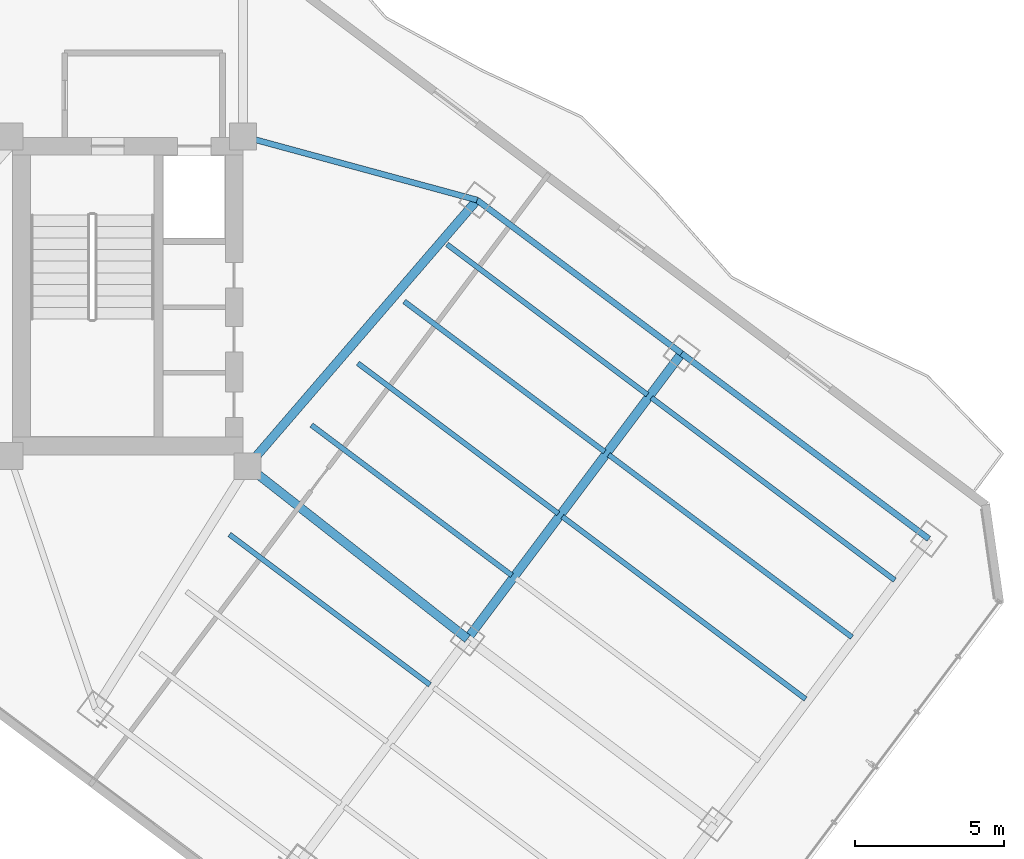
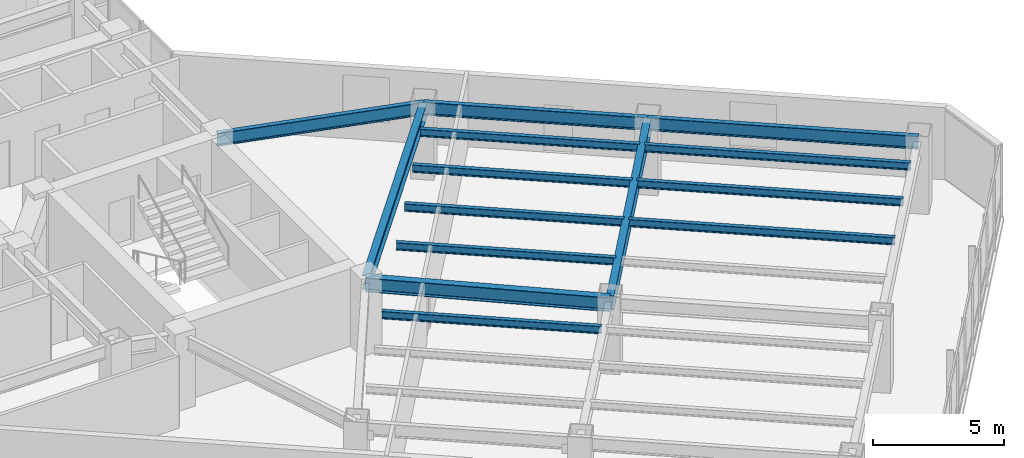
# One storey, part 11 of 29: 14 beams.
"""IFC4 building model written with IfcOpenShell, lengths in metres."""

from ifc_helpers import new_model, si_unit, direction, frame, origin, origin_2d, place, context, subcontext, project, spatial, i_section, extrude, material, material_profile, profile_set, type_object, element, save


model = new_model("IFC4")

# Units and contexts
model_context = context("Model", 3, precision=1e-05, world=origin(), true_north=direction((0.0, 1.0)))
body_context = subcontext(model_context, "Body", "Model", "MODEL_VIEW")
ifc_project = project(units=[si_unit("LENGTHUNIT", "METRE"), si_unit("AREAUNIT", "SQUARE_METRE"), si_unit("VOLUMEUNIT", "CUBIC_METRE"), si_unit("PLANEANGLEUNIT", "RADIAN"), si_unit("MASSUNIT", "GRAM", prefix="KILO")], contexts=[model_context])

# Site, building, storey
site_placement = place(None, origin())
site = spatial("IfcSite", under=ifc_project, at=site_placement, CompositionType="ELEMENT")
building_placement = place(site_placement, origin())
building = spatial("IfcBuilding", under=site, at=building_placement, Name="Hatsunagi Terrace Concourse", CompositionType="ELEMENT")
storey_placement = place(building_placement, frame((0.0, 0.0, 104.85009765625)))
storey = spatial("IfcBuildingStorey", under=building, at=storey_placement, Name="L27", CompositionType="ELEMENT", Elevation=104.85009765625)

# Beams
ifc_material_1 = material(Name="Steel SN490B", Category="steel")
ifc_material_profile_1 = material_profile(ifc_material_1, i_section(OverallWidth=0.175048828125, OverallDepth=0.35009765625, WebThickness=0.007080078125, FlangeThickness=0.010986328125, FilletRadius=0.012939453125, at=origin_2d()), Name="H-350x175x7x11")
ifc_profile_set_1 = profile_set([ifc_material_profile_1], Name="Steel SN490B")
beam_type_1 = type_object("IfcBeamType", Name="HotelJoist_H_350x175", PredefinedType="JOIST", material=ifc_profile_set_1)
for number, where, z_axis, x_axis, name in (
    (1, (43.18798828125, 21.908935546875, 3.1748046875), (0.800003475366, -0.59999536615, 0.0), (0.59999536615, 0.800003475366, 0.0), "Beam J-02 J-L27-SE-2-96"),
    (2, (45.947998046875, 25.589111328125, 3.1748046875), (0.799989573921, -0.600013901187, 0.0), (0.600013901187, 0.799989573921, 0.0), "Beam J-02 J-L27-SE-2-142"),
    (3, (47.508056640625, 27.6689453125, 3.1748046875), (0.800003475366, -0.59999536615, 0.0), (0.59999536615, 0.800003475366, 0.0), "Beam J-02 J-L27-SE-2-168"),
    (4, (49.068115234375, 29.7490234375, 3.1748046875), (0.799989573921, -0.600013901187, 0.0), (0.600013901187, 0.799989573921, 0.0), "Beam J-02 J-L27-SE-2-194"),
    (5, (50.508056640625, 31.6689453125, 3.1748046875), (0.800003475366, -0.59999536615, 0.0), (0.59999536615, 0.800003475366, 0.0), "Beam J-02 J-L27-SE-2-218"),
):
    element("IfcBeam", number, at=place(storey_placement, frame(where, z_axis=z_axis, x_axis=x_axis)), inside=storey, type_object=beam_type_1, Name=name, PredefinedType="JOIST", context=body_context, shape_type="SweptSolid", body=[
        extrude(i_section(OverallWidth=0.175048828125, OverallDepth=0.35009765625, WebThickness=0.007080078125, FlangeThickness=0.010986328125, FilletRadius=0.012939453125, at=origin_2d()), origin(), (0.0, 0.0, 1.0), 8.429931640625),
    ])
beam_1_placement = place(storey_placement, frame((54.387939453125, 22.509033203125, 3.1748046875), z_axis=(0.800005727586, -0.599992363142, 0.0), x_axis=(0.599992363142, 0.800005727586, 0.0)))
element("IfcBeam", 6, at=beam_1_placement, inside=storey, type_object=beam_type_1, Name="Beam J-02 J-L27-SE-3-168", PredefinedType="JOIST", context=body_context, shape_type="SweptSolid", body=[
    extrude(i_section(OverallWidth=0.175048828125, OverallDepth=0.35009765625, WebThickness=0.007080078125, FlangeThickness=0.010986328125, FilletRadius=0.012939453125, at=origin_2d()), origin(), (0.0, 0.0, 1.0), 10.22998046875),
])
beam_2_placement = place(storey_placement, frame((55.947998046875, 24.589111328125, 3.1748046875), z_axis=(0.799994272423, -0.600007636694, 0.0), x_axis=(0.600007636694, 0.799994272423, 0.0)))
element("IfcBeam", 7, at=beam_2_placement, inside=storey, type_object=beam_type_1, Name="Beam J-02 J-L27-SE-3-194", PredefinedType="JOIST", context=body_context, shape_type="SweptSolid", body=[
    extrude(i_section(OverallWidth=0.175048828125, OverallDepth=0.35009765625, WebThickness=0.007080078125, FlangeThickness=0.010986328125, FilletRadius=0.012939453125, at=origin_2d()), origin(), (0.0, 0.0, 1.0), 10.230224609375),
])
beam_3_placement = place(storey_placement, frame((57.387939453125, 26.509033203125, 3.1748046875), z_axis=(0.800005727586, -0.599992363142, 0.0), x_axis=(0.599992363142, 0.800005727586, 0.0)))
element("IfcBeam", 8, at=beam_3_placement, inside=storey, type_object=beam_type_1, Name="Beam J-02 J-L27-SE-3-218", PredefinedType="JOIST", context=body_context, shape_type="SweptSolid", body=[
    extrude(i_section(OverallWidth=0.175048828125, OverallDepth=0.35009765625, WebThickness=0.007080078125, FlangeThickness=0.010986328125, FilletRadius=0.012939453125, at=origin_2d()), origin(), (0.0, 0.0, 1.0), 10.22998046875),
])
ifc_material_2 = material(Name="Steel SN490B", Category="steel")
ifc_material_profile_2 = material_profile(ifc_material_2, i_section(OverallWidth=0.300048828125, OverallDepth=0.64990234375, WebThickness=0.012939453125, FlangeThickness=0.02197265625, FilletRadius=0.01806640625, at=origin_2d()), Name="H-650x300x13x22")
ifc_profile_set_2 = profile_set([ifc_material_profile_2], Name="Steel SN490B")
beam_type_2 = type_object("IfcBeamType", Name="OfficeLowGirder_H_650x300", PredefinedType="BEAM", material=ifc_profile_set_2)
beam_4_placement = place(storey_placement, frame((43.800048828125, 24.199951171875, 3.02490234375), z_axis=(0.652739101421, 0.757582777969, 0.0), x_axis=(-0.757582777969, 0.652739101421, 0.0)))
element("IfcBeam", 9, at=beam_4_placement, inside=storey, type_object=beam_type_2, Name="Beam G-05 BM-L27-SET-1B", PredefinedType="BEAM", context=body_context, shape_type="SweptSolid", body=[
    extrude(i_section(OverallWidth=0.300048828125, OverallDepth=0.64990234375, WebThickness=0.012939453125, FlangeThickness=0.02197265625, FilletRadius=0.01806640625, at=origin_2d()), origin(), (0.0, 0.0, 1.0), 11.8271484375),
])
beam_5_placement = place(storey_placement, frame((43.800048828125, 24.199951171875, 3.02490234375), z_axis=(0.787049441068, -0.616889923175, 0.0), x_axis=(0.616889923175, 0.787049441068, 0.0)))
element("IfcBeam", 10, at=beam_5_placement, inside=storey, type_object=beam_type_2, Name="Beam G-05 BM-L27-SE-M2", PredefinedType="BEAM", context=body_context, shape_type="SweptSolid", body=[
    extrude(i_section(OverallWidth=0.300048828125, OverallDepth=0.64990234375, WebThickness=0.012939453125, FlangeThickness=0.02197265625, FilletRadius=0.01806640625, at=origin_2d()), origin(), (0.0, 0.0, 1.0), 9.402099609375),
])
beam_6_placement = place(storey_placement, frame((51.199951171875, 18.39990234375, 3.02490234375), z_axis=(0.59999348959, 0.800004882766, 0.0), x_axis=(-0.800004882766, 0.59999348959, 0.0)))
element("IfcBeam", 11, at=beam_6_placement, inside=storey, type_object=beam_type_2, Name="Beam G-05 BM-L27-SET-2B", PredefinedType="BEAM", context=body_context, shape_type="SweptSolid", body=[
    extrude(i_section(OverallWidth=0.300048828125, OverallDepth=0.64990234375, WebThickness=0.012939453125, FlangeThickness=0.02197265625, FilletRadius=0.01806640625, at=origin_2d()), origin(), (0.0, 0.0, 1.0), 12.0),
])
ifc_material_3 = material(Name="Steel SN490B", Category="steel")
ifc_material_profile_3 = material_profile(ifc_material_3, i_section(OverallWidth=0.199951171875, OverallDepth=0.60009765625, WebThickness=0.010986328125, FlangeThickness=0.01708984375, FilletRadius=0.01806640625, at=origin_2d()), Name="H-600x200x11x17")
ifc_profile_set_3 = profile_set([ifc_material_profile_3], Name="Steel SN490B")
beam_type_3 = type_object("IfcBeamType", Name="PerimeterSpandrel_H_600x200", PredefinedType="SPANDREL", material=ifc_profile_set_3)
beam_7_placement = place(storey_placement, frame((43.64990234375, 35.300048828125, 3.0498046875), z_axis=(0.964958359286, -0.262403057994, 0.0), x_axis=(0.262403057994, 0.964958359286, 0.0)))
element("IfcBeam", 12, at=beam_7_placement, inside=storey, type_object=beam_type_3, Name="Beam SP-01 BM-L27-SE-NE0", PredefinedType="SPANDREL", context=body_context, shape_type="SweptSolid", body=[
    extrude(i_section(OverallWidth=0.199951171875, OverallDepth=0.60009765625, WebThickness=0.010986328125, FlangeThickness=0.01708984375, FilletRadius=0.01806640625, at=origin_2d()), origin(), (0.0, 0.0, 1.0), 8.156005859375),
])
beam_8_placement = place(storey_placement, frame((51.52001953125, 33.159912109375, 3.0498046875), z_axis=(0.8, -0.6, 0.0), x_axis=(0.6, 0.8, 0.0)))
element("IfcBeam", 13, at=beam_8_placement, inside=storey, type_object=beam_type_3, Name="Beam SP-01 BM-L27-SE-NE2", PredefinedType="SPANDREL", context=body_context, shape_type="SweptSolid", body=[
    extrude(i_section(OverallWidth=0.199951171875, OverallDepth=0.60009765625, WebThickness=0.010986328125, FlangeThickness=0.01708984375, FilletRadius=0.01806640625, at=origin_2d()), origin(), (0.0, 0.0, 1.0), 8.599853515625),
])
beam_9_placement = place(storey_placement, frame((58.39990234375, 28.0, 3.0498046875), z_axis=(0.800002816985, -0.599996244001, 0.0), x_axis=(0.599996244001, 0.800002816985, 0.0)))
element("IfcBeam", 14, at=beam_9_placement, inside=storey, type_object=beam_type_3, Name="Beam SP-01 BM-L27-SE-NE3", PredefinedType="SPANDREL", context=body_context, shape_type="SweptSolid", body=[
    extrude(i_section(OverallWidth=0.199951171875, OverallDepth=0.60009765625, WebThickness=0.010986328125, FlangeThickness=0.01708984375, FilletRadius=0.01806640625, at=origin_2d()), origin(), (0.0, 0.0, 1.0), 10.400146484375),
])

save(model, "model.ifc")
